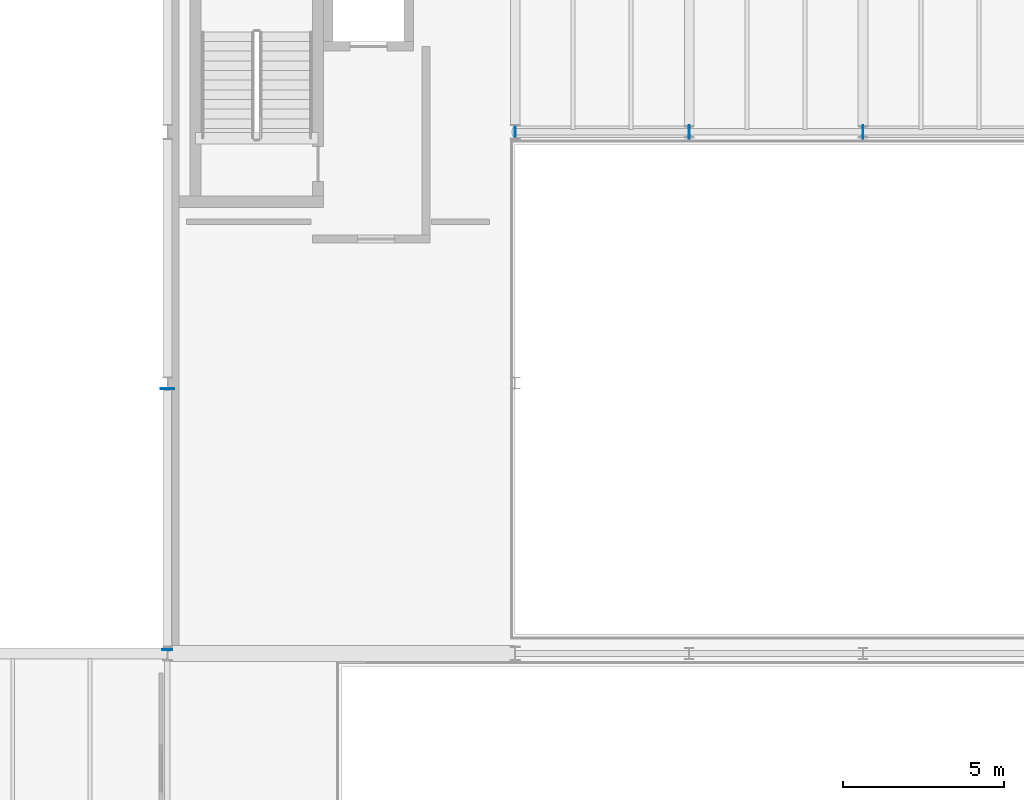
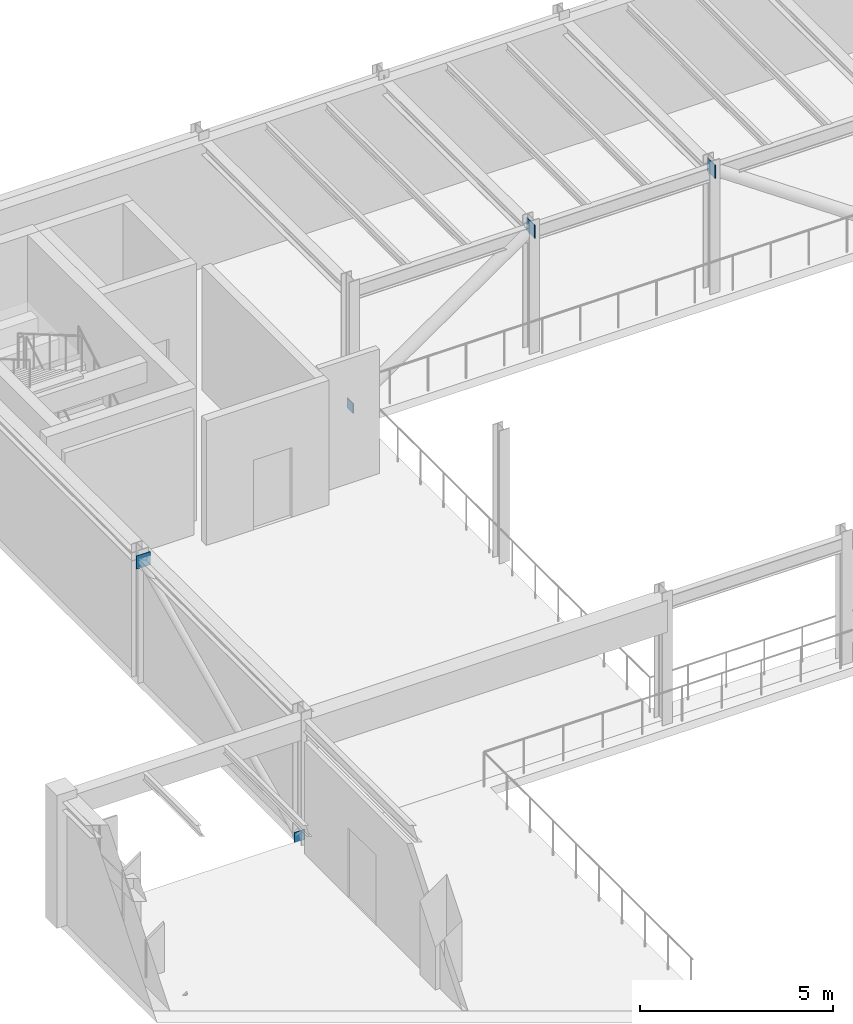
# One storey, part 36 of 122: 5 plates.
"""IFC4 building model written with IfcOpenShell, lengths in metres."""

from ifc_helpers import new_model, si_unit, direction, frame, origin, origin_2d, place, context, subcontext, project, spatial, rectangle, extrude, material, layer, layer_set, type_object, element, save


model = new_model("IFC4")

# Units and contexts
model_context = context("Model", 3, precision=1e-05, world=origin(), true_north=direction((0.0, 1.0)))
body_context = subcontext(model_context, "Body", "Model", "MODEL_VIEW")
ifc_project = project(units=[si_unit("LENGTHUNIT", "METRE"), si_unit("AREAUNIT", "SQUARE_METRE"), si_unit("VOLUMEUNIT", "CUBIC_METRE"), si_unit("PLANEANGLEUNIT", "RADIAN"), si_unit("MASSUNIT", "GRAM", prefix="KILO")], contexts=[model_context])

# Site, building, storey
site_placement = place(None, origin())
site = spatial("IfcSite", under=ifc_project, at=site_placement, CompositionType="ELEMENT")
building_placement = place(site_placement, origin())
building = spatial("IfcBuilding", under=site, at=building_placement, Name="Tazoul Stagehouse", CompositionType="ELEMENT")
storey_placement = place(building_placement, frame((0.0, 0.0, 4.800048828125)))
storey = spatial("IfcBuildingStorey", under=building, at=storey_placement, Name="L01", CompositionType="ELEMENT", Elevation=4.800048828125)

# Plates
ifc_material = material(Name="Steel S355", Category="steel")
ifc_layer_1 = layer(ifc_material, 0.02001953125, Name="Steel S355")
ifc_layer_set_1 = layer_set([ifc_layer_1], Name="Steel S355")
plate_type_1 = type_object("IfcPlateType", Name="Steel Brace End-Cap Plate 320x320x20", PredefinedType="USERDEFINED", material=ifc_layer_set_1)
plate_1_placement = place(storey_placement, frame((68.39990234375, 104.0, -0.0400390625), z_axis=(0.0, 0.0, 1.0), x_axis=(1.0, 0.0, 0.0)))
element("IfcPlate", 1, at=plate_1_placement, inside=storey, type_object=plate_type_1, Name="L01 Gusset End-Cap Plate GP-01 (BR-FT-L01-IN1-1)", ObjectType="GUSSET PLATE", PredefinedType="USERDEFINED", context=body_context, shape_type="SweptSolid", body=[
    extrude(rectangle(XDim=0.02001953125, YDim=0.320068359375, at=origin_2d()), origin(), (0.0, 0.0, 1.0), 0.320068359375),
])
ifc_layer_2 = layer(ifc_material, 0.02001953125, Name="Steel S355")
ifc_layer_set_2 = layer_set([ifc_layer_2], Name="Steel S355")
plate_type_2 = type_object("IfcPlateType", Name="Steel Brace End-Cap Plate 320x320x20 (Exterior)", PredefinedType="USERDEFINED", material=ifc_layer_set_2)
plate_2_placement = place(storey_placement, frame((57.60009765625, 87.919921875, -0.10986328125), z_axis=(0.0, 0.0, 1.0), x_axis=(0.0, 1.0, 0.0)))
element("IfcPlate", 2, at=plate_2_placement, inside=storey, type_object=plate_type_2, Name="L01 Gusset End-Cap Plate GP-01E (BR-FT-L01-W1-1)", ObjectType="GUSSET PLATE", PredefinedType="USERDEFINED", context=body_context, shape_type="SweptSolid", body=[
    extrude(rectangle(XDim=0.02001953125, YDim=0.320068359375, at=origin_2d()), origin(), (0.0, 0.0, 1.0), 0.320068359375),
])
ifc_layer_3 = layer(ifc_material, 0.02392578125, Name="Steel S355")
ifc_layer_set_3 = layer_set([ifc_layer_3], Name="Steel S355")
plate_type_3 = type_object("IfcPlateType", Name="Steel Gusset Node Plate 420x420x24", PredefinedType="USERDEFINED", material=ifc_layer_set_3)
for number, where, z_axis, x_axis, name in (
    (3, (73.800048828125, 104.0, 3.639892578125), (0.0, 0.0, 1.0), (1.0, 0.0, 0.0), "L01 Gusset End-Cap Plate GP-02 (BR-FT-L01-IN1-2)"),
    (4, (79.199951171875, 104.0, 3.639892578125), (0.0, 0.0, 1.0), (-1.0, 0.0, 0.0), "L01 Gusset End-Cap Plate GP-02 (BR-FT-L01-IN2-2)"),
):
    element("IfcPlate", number, at=place(storey_placement, frame(where, z_axis=z_axis, x_axis=x_axis)), inside=storey, type_object=plate_type_3, Name=name, ObjectType="GUSSET PLATE", PredefinedType="USERDEFINED", context=body_context, shape_type="SweptSolid", body=[
        extrude(rectangle(XDim=0.02392578125, YDim=0.419921875, at=origin_2d()), origin(), (0.0, 0.0, 1.0), 0.419921875),
    ])
ifc_layer_4 = layer(ifc_material, 0.02392578125, Name="Steel S355")
ifc_layer_set_4 = layer_set([ifc_layer_4], Name="Steel S355")
plate_type_4 = type_object("IfcPlateType", Name="Steel Gusset Node Plate 420x420x24 (Exterior)", PredefinedType="USERDEFINED", material=ifc_layer_set_4)
plate_3_placement = place(storey_placement, frame((57.60009765625, 96.02001953125, 3.639892578125), z_axis=(0.0, 0.0, 1.0), x_axis=(0.0, 1.0, 0.0)))
element("IfcPlate", 5, at=plate_3_placement, inside=storey, type_object=plate_type_4, Name="L01 Gusset End-Cap Plate GP-02E (BR-FT-L01-W1-2)", ObjectType="GUSSET PLATE", PredefinedType="USERDEFINED", context=body_context, shape_type="SweptSolid", body=[
    extrude(rectangle(XDim=0.02392578125, YDim=0.419921875, at=origin_2d()), origin(), (0.0, 0.0, 1.0), 0.419921875),
])

save(model, "model.ifc")
